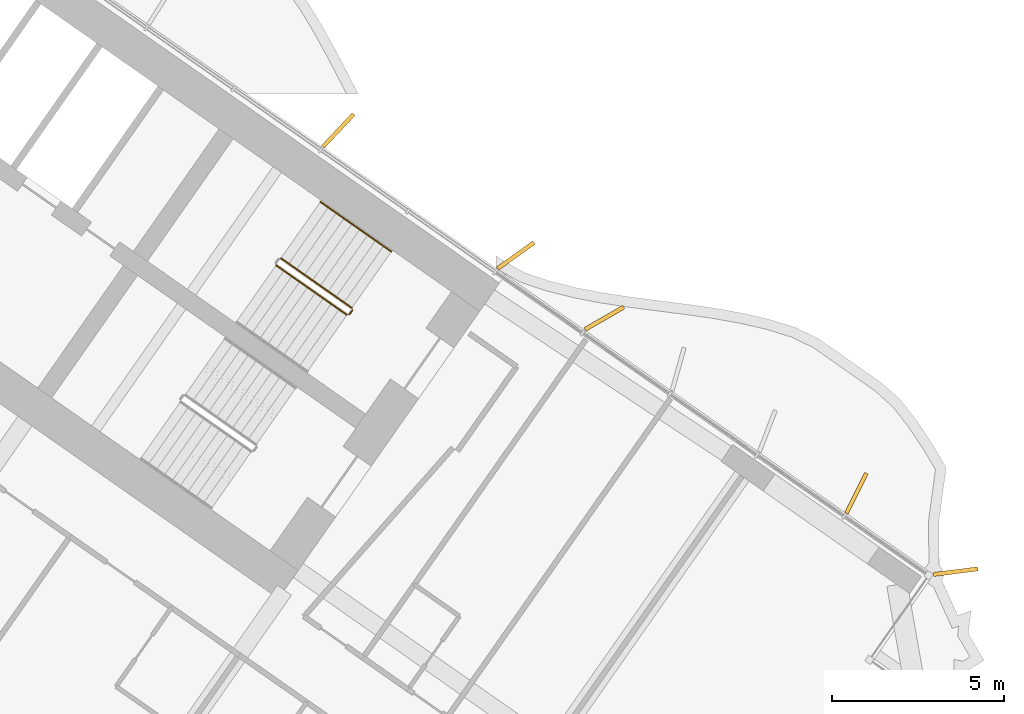
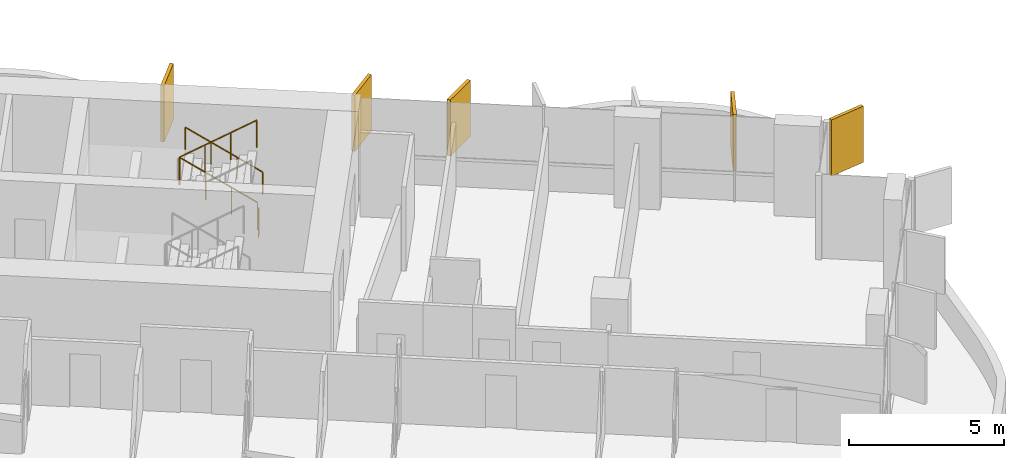
# One storey, part 23 of 23: 5 shading devices, 4 railings.
"""IFC4 building model written with IfcOpenShell, lengths in metres."""

from ifc_helpers import new_model, si_unit, direction, frame, origin, origin_2d, place, context, subcontext, project, spatial, rectangle, circle, extrude, material, layer, layer_set, type_object, element, save


model = new_model("IFC4")

# Units and contexts
model_context = context("Model", 3, precision=1e-05, world=origin(), true_north=direction((0.0, 1.0)))
body_context = subcontext(model_context, "Body", "Model", "MODEL_VIEW")
ifc_project = project(units=[si_unit("LENGTHUNIT", "METRE"), si_unit("AREAUNIT", "SQUARE_METRE"), si_unit("VOLUMEUNIT", "CUBIC_METRE"), si_unit("PLANEANGLEUNIT", "RADIAN"), si_unit("MASSUNIT", "GRAM", prefix="KILO")], contexts=[model_context])

# Site, building, storey
site_placement = place(None, origin())
site = spatial("IfcSite", under=ifc_project, at=site_placement, CompositionType="ELEMENT")
building_placement = place(site_placement, origin())
building = spatial("IfcBuilding", under=site, at=building_placement, Name="Tel Ilan Convention Tower", CompositionType="ELEMENT")
storey_placement = place(building_placement, frame((0.0, 0.0, 104.89990234375)))
storey = spatial("IfcBuildingStorey", under=building, at=storey_placement, Name="L22", CompositionType="ELEMENT", Elevation=104.89990234375)

# Shading devices
ifc_material_1 = material(Name="Aluminium, bronze anodised", Category="aluminium")
ifc_layer = layer(ifc_material_1, 0.1201171875)
ifc_layer_set = layer_set([ifc_layer], Name="FIN BRONZE 1300x120")
shading_device_type = type_object("IfcShadingDeviceType", Name="FIN BRONZE 1300x120", PredefinedType="USERDEFINED", material=ifc_layer_set)
for number, where, z_axis, x_axis, name in (
    (1, (28.446044921875, -6.328125, 1.10009765625), (0.0, 0.0, 1.0), (0.813552070258, 0.581492071294, 0.0), "FIN"),
    (2, (23.282958984375, -2.689697265625, 1.10009765625), (0.0, 0.0, 1.0), (0.686241637865, 0.727373641577, 0.0), "FIN"),
    (3, (41.238037109375, -15.521728515625, 1.10009765625), (0.0, 0.0, 1.0), (0.992066016082, 0.125718016748, 0.0), "FIN"),
    (4, (38.350341796875, -13.239990234375, 1.10009765625), (0.0, 0.0, 1.0), (0.448799180206, 0.893632640321, 0.0), "FIN"),
    (5, (31.020263671875, -8.153076171875, 1.10009765625), (0.0, 0.0, 1.0), (0.866025403784, 0.5, 0.0), "FIN"),
):
    element("IfcShadingDevice", number, at=place(storey_placement, frame(where, z_axis=z_axis, x_axis=x_axis)), inside=storey, type_object=shading_device_type, Name=name, ObjectType="FIN", PredefinedType="USERDEFINED", context=body_context, shape_type="SweptSolid", body=[
        extrude(rectangle(XDim=1.300048828125, YDim=0.1201171875, at=origin_2d()), origin(), (0.0, 0.0, 1.0), 2.219970703125),
    ])

# Railings
ifc_material_2 = material(Name="Stainless Steel Grade 316", Category="steel")
railing_type_1 = type_object("IfcRailingType", Name="Stainless Steel Stair Guard 1100 mm", PredefinedType="GUARDRAIL", material=ifc_material_2)
railing_1_placement = place(storey_placement, frame((23.6787109375, -7.8515625, 0.18017578125)))
element("IfcRailing", 6, at=railing_1_placement, inside=storey, type_object=railing_type_1, Name="L22 S3 stair guard 1", PredefinedType="GUARDRAIL", context=body_context, shape_type="SweptSolid", body=[
    extrude(circle(Radius=0.02392578125, at=origin_2d()), frame((0.0, 0.0, 1.076171875), z_axis=(-0.689043377453, 0.48253410265, 0.540721798865), x_axis=(-0.573624882958, -0.819118119475, 0.0)), (0.0, 0.0, 1.0), 2.995849609375),
    extrude(circle(Radius=0.02099609375, at=origin_2d()), origin(), (0.0, 0.0, 1.0), 1.052001953125),
    extrude(circle(Radius=0.02099609375, at=origin_2d()), frame((-0.68798828125, 0.48193359375, 0.5400390625)), (0.0, 0.0, 1.0), 1.052001953125),
    extrude(circle(Radius=0.02099609375, at=origin_2d()), frame((-1.376220703125, 0.963623046875, 1.079833984375)), (0.0, 0.0, 1.0), 1.052001953125),
    extrude(circle(Radius=0.02099609375, at=origin_2d()), frame((-2.064208984375, 1.445556640625, 1.619873046875)), (0.0, 0.0, 1.0), 1.052001953125),
])
railing_2_placement = place(storey_placement, frame((21.47119140625, -6.61083984375, 1.97998046875)))
element("IfcRailing", 7, at=railing_2_placement, inside=storey, type_object=railing_type_1, Name="L22 S3 stair guard 3", PredefinedType="GUARDRAIL", context=body_context, shape_type="SweptSolid", body=[
    extrude(circle(Radius=0.02392578125, at=origin_2d()), frame((0.0, 0.0, 1.076171875), z_axis=(0.689013013563, -0.482512838948, 0.540779462804), x_axis=(0.573624882958, 0.819118119475, 0.0)), (0.0, 0.0, 1.0), 2.995849609375),
    extrude(circle(Radius=0.02099609375, at=origin_2d()), origin(), (0.0, 0.0, 1.0), 1.052001953125),
    extrude(circle(Radius=0.02099609375, at=origin_2d()), frame((0.68798828125, -0.48193359375, 0.5400390625)), (0.0, 0.0, 1.0), 1.052001953125),
    extrude(circle(Radius=0.02099609375, at=origin_2d()), frame((1.376220703125, -0.963623046875, 1.080078125)), (0.0, 0.0, 1.0), 1.052001953125),
    extrude(circle(Radius=0.02099609375, at=origin_2d()), frame((2.064208984375, -1.445556640625, 1.6201171875)), (0.0, 0.0, 1.0), 1.052001953125),
])
railing_3_placement = place(storey_placement, frame((23.691162109375, -7.921142578125, 0.0)))
element("IfcRailing", 8, at=railing_3_placement, inside=storey, type_object=railing_type_1, Name="L22 S3 stair guard 4", PredefinedType="GUARDRAIL", context=body_context, shape_type="SweptSolid", body=[
    extrude(circle(Radius=0.02392578125, at=origin_2d()), frame((0.0, 0.0, 1.076171875), z_axis=(-0.574444878118, -0.818543268254, 0.0), x_axis=(0.818543268254, -0.574444878118, 0.0)), (0.0, 0.0, 1.0), 0.150146484375),
    extrude(circle(Radius=0.02099609375, at=origin_2d()), origin(), (0.0, 0.0, 1.0), 1.052001953125),
    extrude(circle(Radius=0.02099609375, at=origin_2d()), frame((-0.086181640625, -0.122802734375, 0.0)), (0.0, 0.0, 1.0), 1.052001953125),
])
ifc_material_3 = material(Name="Stainless Steel Grade 316", Category="steel")
railing_type_2 = type_object("IfcRailingType", Name="Stainless Steel Stair Handrail 900 mm", PredefinedType="HANDRAIL", material=ifc_material_3)
railing_4_placement = place(storey_placement, frame((24.825927734375, -6.213134765625, 0.18017578125)))
element("IfcRailing", 9, at=railing_4_placement, inside=storey, type_object=railing_type_2, Name="L22 S3 stair handrail 1", PredefinedType="HANDRAIL", context=body_context, shape_type="SweptSolid", body=[
    extrude(circle(Radius=0.02392578125, at=origin_2d()), frame((0.0, 0.0, 0.8759765625), z_axis=(-0.68907047291, 0.482471578903, 0.540743061828), x_axis=(-0.573559875649, -0.819163639968, 0.0)), (0.0, 0.0, 1.0), 2.99560546875),
    extrude(circle(Radius=0.02099609375, at=origin_2d()), origin(), (0.0, 0.0, 1.0), 0.851806640625),
    extrude(circle(Radius=0.02099609375, at=origin_2d()), frame((-0.68798828125, 0.481689453125, 0.5400390625)), (0.0, 0.0, 1.0), 0.851806640625),
    extrude(circle(Radius=0.02099609375, at=origin_2d()), frame((-1.376220703125, 0.963623046875, 1.079833984375)), (0.0, 0.0, 1.0), 0.851806640625),
    extrude(circle(Radius=0.02099609375, at=origin_2d()), frame((-2.064208984375, 1.4453125, 1.619873046875)), (0.0, 0.0, 1.0), 0.851806640625),
])

save(model, "model.ifc")
